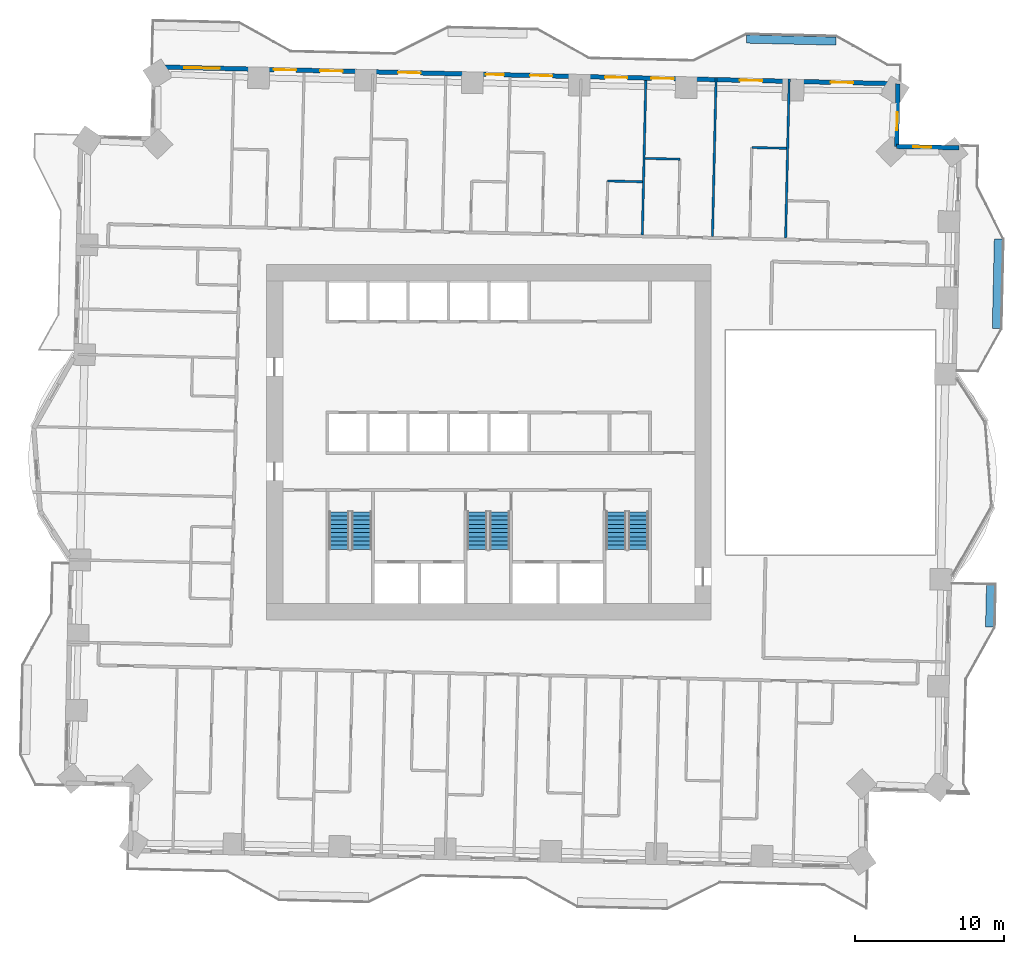
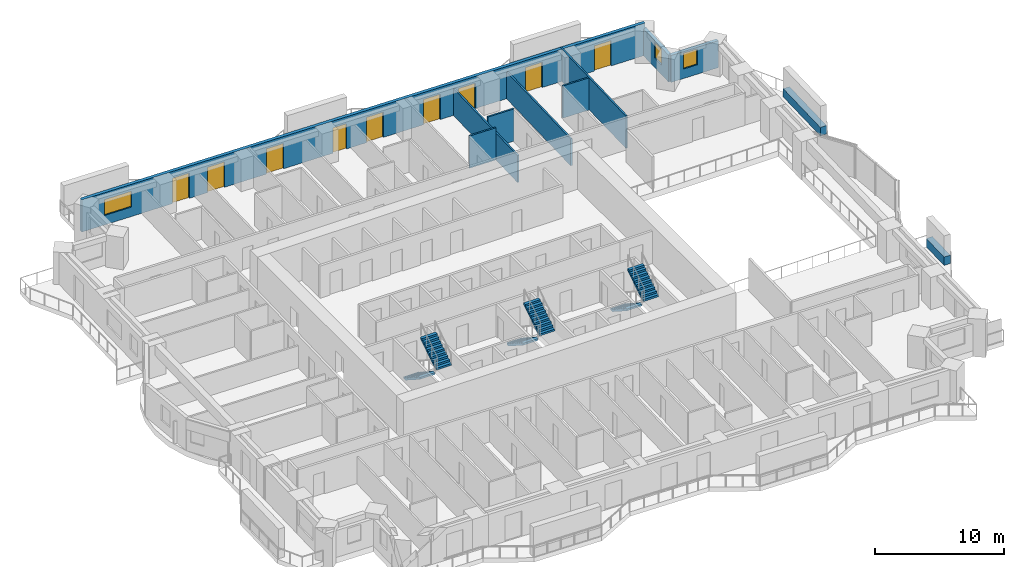
# One storey, part 13 of 18: 12 walls, 9 doors, 6 stair flights, 3 windows, 12 openings, 3 elements without a shape of their own.
"""IFC4 building model written with IfcOpenShell, lengths in metres."""

from ifc_helpers import new_model, si_unit, direction, frame, frame_2d, origin, place, context, subcontext, project, spatial, polyline, rectangle, outline, extrude, material, layer, layer_set, type_object, element, fill, aggregate, save


model = new_model("IFC4")

# Units and contexts
model_context = context("Model", 3, precision=1e-05, world=origin(), true_north=direction((0.0, 1.0)))
body_context = subcontext(model_context, "Body", "Model", "MODEL_VIEW")
ifc_project = project(units=[si_unit("LENGTHUNIT", "METRE"), si_unit("AREAUNIT", "SQUARE_METRE"), si_unit("VOLUMEUNIT", "CUBIC_METRE"), si_unit("PLANEANGLEUNIT", "RADIAN"), si_unit("MASSUNIT", "GRAM", prefix="KILO")], contexts=[model_context])

# Site, building, storey
site_placement = place(None, origin())
site = spatial("IfcSite", under=ifc_project, at=site_placement, CompositionType="ELEMENT")
building_placement = place(site_placement, origin())
building = spatial("IfcBuilding", under=site, at=building_placement, Name="Mangrove Gate Tower", CompositionType="ELEMENT")
storey_placement = place(building_placement, frame((0.0, 0.0, 67.5)))
storey = spatial("IfcBuildingStorey", under=building, at=storey_placement, Name="L16", CompositionType="ELEMENT", Elevation=67.5)

# Wall, opening, window
ifc_material_1 = material(Name="Limestone", Category="masonry")
ifc_layer_1 = layer(ifc_material_1, 0.0400390625, Name="Limestone cladding")
ifc_material_2 = material(Name="Ventilated air gap")
ifc_layer_2 = layer(ifc_material_2, 0.0400390625, Name="Ventilated cavity")
ifc_material_3 = material(Name="Mineral wool insulation")
ifc_layer_3 = layer(ifc_material_3, 0.06005859375, Name="Insulation")
ifc_material_4 = material(Name="Breather membrane")
ifc_layer_4 = layer(ifc_material_4, 0.001953125, Name="Breather membrane")
ifc_material_5 = material(Name="Concrete C20/25 blockwork", Category="masonry")
ifc_layer_5 = layer(ifc_material_5, 0.14990234375, Name="Blockwork backing wall")
ifc_material_6 = material(Name="Gypsum plaster")
ifc_layer_6 = layer(ifc_material_6, 0.008056640625, Name="Internal plaster")
ifc_layer_set_1 = layer_set([ifc_layer_1, ifc_layer_2, ifc_layer_3, ifc_layer_4, ifc_layer_5, ifc_layer_6], Name="External wall 300 limestone cladding")
wall_type_1 = type_object("IfcWallType", Name="External wall 300 limestone cladding", PredefinedType="SOLIDWALL", material=ifc_layer_set_1)
wall_1_placement = place(storey_placement, frame((31.510986328125, 19.72705078125, 0.0), z_axis=(0.0, 0.0, 1.0), x_axis=(-0.999744320311, 0.022611811187, 0.0)))
wall_1 = element("IfcWall", 1, at=wall_1_placement, inside=storey, type_object=wall_type_1, Name="WALL-L16-N3", PredefinedType="SOLIDWALL", context=body_context, shape_type="SweptSolid", body=[
    extrude(rectangle(XDim=4.199951171875, YDim=0.300048828125, at=frame_2d((2.10009765625, 0.0))), origin(), (0.0, 0.0, 1.0), 2.550048828125),
])
opening_1_placement = place(wall_1_placement, frame((1.884033203125, 0.0, 0.89990234375)))
opening_1 = element("IfcOpeningElement", 2, at=opening_1_placement, cuts=wall_1, Name="Opening W1", PredefinedType="OPENING", context=body_context, shape_type="SweptSolid", body=[
    extrude(rectangle(XDim=1.199951171875, YDim=1.5, at=frame_2d((0.60009765625, 0.75))), frame((0.0, 0.159912109375, 0.0), z_axis=(0.0, -1.0, 0.0), x_axis=(1.0, 0.0, 0.0)), (0.0, 0.0, 1.0), 0.320068359375),
])
ifc_material_7 = material(Name="Aluminium frame with double-glazed low-e glass", Category="aluminium")
window_type_1 = type_object("IfcWindowType", Name="Side lite 1200x1500", PartitioningType="SINGLE_PANEL", PredefinedType="WINDOW", material=ifc_material_7)
window_1_placement = place(opening_1_placement, origin())
window_1 = element("IfcWindow", 3, at=window_1_placement, inside=storey, type_object=window_type_1, Name="WIN-L16-N3-1", OverallHeight=1.5, OverallWidth=1.199951171875, PartitioningType="SINGLE_PANEL", PredefinedType="WINDOW", context=body_context, shape_type="SweptSolid", body=[
    extrude(rectangle(XDim=1.199951171875, YDim=1.5, at=frame_2d((0.60009765625, 0.75))), frame((0.0, 0.030029296875, 0.0), z_axis=(0.0, -1.0, 0.0), x_axis=(1.0, 0.0, 0.0)), (0.0, 0.0, 1.0), 0.06005859375),
])
fill(opening_1, window_1)

wall_2_placement = place(storey_placement, frame((27.31201171875, 19.822021484375, 0.0), z_axis=(0.0, 0.0, 1.0), x_axis=(0.022611811187, 0.999744320311, 0.0)))
wall_2 = element("IfcWall", 4, at=wall_2_placement, inside=storey, type_object=wall_type_1, Name="WALL-L16-E4", PredefinedType="SOLIDWALL", context=body_context, shape_type="SweptSolid", body=[
    extrude(rectangle(XDim=4.199951171875, YDim=0.300048828125, at=frame_2d((2.10009765625, 0.0))), origin(), (0.0, 0.0, 1.0), 2.550048828125),
])
opening_2_placement = place(wall_2_placement, frame((1.097900390625, 0.0, 0.89990234375)))
opening_2 = element("IfcOpeningElement", 5, at=opening_2_placement, cuts=wall_2, Name="Opening W1", PredefinedType="OPENING", context=body_context, shape_type="SweptSolid", body=[
    extrude(rectangle(XDim=1.199951171875, YDim=1.5, at=frame_2d((0.60009765625, 0.75))), frame((0.0, 0.159912109375, 0.0), z_axis=(0.0, -1.0, 0.0), x_axis=(1.0, 0.0, 0.0)), (0.0, 0.0, 1.0), 0.320068359375),
])
window_2_placement = place(opening_2_placement, origin())
window_2 = element("IfcWindow", 6, at=window_2_placement, inside=storey, type_object=window_type_1, Name="WIN-L16-E4-1", OverallHeight=1.5, OverallWidth=1.199951171875, PartitioningType="SINGLE_PANEL", PredefinedType="WINDOW", context=body_context, shape_type="SweptSolid", body=[
    extrude(rectangle(XDim=1.199951171875, YDim=1.5, at=frame_2d((0.60009765625, 0.75))), frame((0.0, 0.030029296875, 0.0), z_axis=(0.0, -1.0, 0.0), x_axis=(1.0, 0.0, 0.0)), (0.0, 0.0, 1.0), 0.06005859375),
])
fill(opening_2, window_2)

# Wall, openings, doors, window
wall_3_placement = place(storey_placement, frame((27.406982421875, 24.02099609375, 0.0), z_axis=(0.0, 0.0, 1.0), x_axis=(-0.99974239923, 0.022696589664, 0.0)))
wall_3 = element("IfcWall", 7, at=wall_3_placement, inside=storey, type_object=wall_type_1, Name="WALL-L16-N5", PredefinedType="SOLIDWALL", context=body_context, shape_type="SweptSolid", body=[
    extrude(rectangle(XDim=49.8359375, YDim=0.300048828125, at=frame_2d((24.91796875, 0.0))), origin(), (0.0, 0.0, 1.0), 3.050048828125),
])
opening_3_placement = place(wall_3_placement, frame((2.998046875, 0.0, 0.0)))
opening_3 = element("IfcOpeningElement", 8, at=opening_3_placement, cuts=wall_3, Name="Opening BD1", PredefinedType="OPENING", context=body_context, shape_type="SweptSolid", body=[
    extrude(rectangle(XDim=1.5, YDim=2.39990234375, at=frame_2d((0.75, 1.199951171875))), frame((0.0, 0.159912109375, 0.0), z_axis=(0.0, -1.0, 0.0), x_axis=(1.0, 0.0, 0.0)), (0.0, 0.0, 1.0), 0.320068359375),
])
opening_4_placement = place(wall_3_placement, frame((9.0859375, 0.0, 0.0)))
opening_4 = element("IfcOpeningElement", 9, at=opening_4_placement, cuts=wall_3, Name="Opening BD1", PredefinedType="OPENING", context=body_context, shape_type="SweptSolid", body=[
    extrude(rectangle(XDim=1.5, YDim=2.39990234375, at=frame_2d((0.75, 1.199951171875))), frame((0.0, 0.159912109375, 0.0), z_axis=(0.0, -1.0, 0.0), x_axis=(1.0, 0.0, 0.0)), (0.0, 0.0, 1.0), 0.320068359375),
])
opening_5_placement = place(wall_3_placement, frame((15.01708984375, 0.0, 0.0)))
opening_5 = element("IfcOpeningElement", 10, at=opening_5_placement, cuts=wall_3, Name="Opening BD1", PredefinedType="OPENING", context=body_context, shape_type="SweptSolid", body=[
    extrude(rectangle(XDim=1.5, YDim=2.39990234375, at=frame_2d((0.75, 1.199951171875))), frame((0.0, 0.159912109375, 0.0), z_axis=(0.0, -1.0, 0.0), x_axis=(1.0, 0.0, 0.0)), (0.0, 0.0, 1.0), 0.320068359375),
])
opening_6_placement = place(wall_3_placement, frame((18.1240234375, 0.0, 0.0)))
opening_6 = element("IfcOpeningElement", 11, at=opening_6_placement, cuts=wall_3, Name="Opening BD1", PredefinedType="OPENING", context=body_context, shape_type="SweptSolid", body=[
    extrude(rectangle(XDim=1.5, YDim=2.39990234375, at=frame_2d((0.75, 1.199951171875))), frame((0.0, 0.159912109375, 0.0), z_axis=(0.0, -1.0, 0.0), x_axis=(1.0, 0.0, 0.0)), (0.0, 0.0, 1.0), 0.320068359375),
])
opening_7_placement = place(wall_3_placement, frame((23.14892578125, 0.0, 0.0)))
opening_7 = element("IfcOpeningElement", 12, at=opening_7_placement, cuts=wall_3, Name="Opening BD1", PredefinedType="OPENING", context=body_context, shape_type="SweptSolid", body=[
    extrude(rectangle(XDim=1.5, YDim=2.39990234375, at=frame_2d((0.75, 1.199951171875))), frame((0.0, 0.159912109375, 0.0), z_axis=(0.0, -1.0, 0.0), x_axis=(1.0, 0.0, 0.0)), (0.0, 0.0, 1.0), 0.320068359375),
])
opening_8_placement = place(wall_3_placement, frame((26.405029296875, 0.0, 0.0)))
opening_8 = element("IfcOpeningElement", 13, at=opening_8_placement, cuts=wall_3, Name="Opening BD2", PredefinedType="OPENING", context=body_context, shape_type="SweptSolid", body=[
    extrude(rectangle(XDim=1.199951171875, YDim=2.39990234375, at=frame_2d((0.60009765625, 1.199951171875))), frame((0.0, 0.159912109375, 0.0), z_axis=(0.0, -1.0, 0.0), x_axis=(1.0, 0.0, 0.0)), (0.0, 0.0, 1.0), 0.320068359375),
])
opening_9_placement = place(wall_3_placement, frame((31.986083984375, 0.0, 0.0)))
opening_9 = element("IfcOpeningElement", 14, at=opening_9_placement, cuts=wall_3, Name="Opening BD1", PredefinedType="OPENING", context=body_context, shape_type="SweptSolid", body=[
    extrude(rectangle(XDim=1.5, YDim=2.39990234375, at=frame_2d((0.75, 1.199951171875))), frame((0.0, 0.159912109375, 0.0), z_axis=(0.0, -1.0, 0.0), x_axis=(1.0, 0.0, 0.0)), (0.0, 0.0, 1.0), 0.320068359375),
])
opening_10_placement = place(wall_3_placement, frame((37.2109375, 0.0, 0.0)))
opening_10 = element("IfcOpeningElement", 15, at=opening_10_placement, cuts=wall_3, Name="Opening BD1", PredefinedType="OPENING", context=body_context, shape_type="SweptSolid", body=[
    extrude(rectangle(XDim=1.5, YDim=2.39990234375, at=frame_2d((0.75, 1.199951171875))), frame((0.0, 0.159912109375, 0.0), z_axis=(0.0, -1.0, 0.0), x_axis=(1.0, 0.0, 0.0)), (0.0, 0.0, 1.0), 0.320068359375),
])
opening_11_placement = place(wall_3_placement, frame((40.31689453125, 0.0, 0.0)))
opening_11 = element("IfcOpeningElement", 16, at=opening_11_placement, cuts=wall_3, Name="Opening BD1", PredefinedType="OPENING", context=body_context, shape_type="SweptSolid", body=[
    extrude(rectangle(XDim=1.5, YDim=2.39990234375, at=frame_2d((0.75, 1.199951171875))), frame((0.0, 0.159912109375, 0.0), z_axis=(0.0, -1.0, 0.0), x_axis=(1.0, 0.0, 0.0)), (0.0, 0.0, 1.0), 0.320068359375),
])
opening_12_placement = place(wall_3_placement, frame((45.430908203125, 0.0, 0.89990234375)))
opening_12 = element("IfcOpeningElement", 17, at=opening_12_placement, cuts=wall_3, Name="Opening W2", PredefinedType="OPENING", context=body_context, shape_type="SweptSolid", body=[
    extrude(rectangle(XDim=2.39990234375, YDim=1.5, at=frame_2d((1.199951171875, 0.75))), frame((0.0, 0.159912109375, 0.0), z_axis=(0.0, -1.0, 0.0), x_axis=(1.0, 0.0, 0.0)), (0.0, 0.0, 1.0), 0.320068359375),
])
ifc_material_8 = material(Name="Aluminium frame with laminated clear glass", Category="aluminium")
door_type_1 = type_object("IfcDoorType", Name="Balcony sliding door 1200x2400", OperationType="SLIDING_TO_LEFT", PredefinedType="DOOR", material=ifc_material_8)
door_1_placement = place(opening_8_placement, origin())
door_1 = element("IfcDoor", 18, at=door_1_placement, inside=storey, type_object=door_type_1, Name="DOOR-L16-N5-6", OperationType="SLIDING_TO_LEFT", OverallHeight=2.39990234375, OverallWidth=1.199951171875, PredefinedType="DOOR", context=body_context, shape_type="SweptSolid", body=[
    extrude(rectangle(XDim=1.199951171875, YDim=2.39990234375, at=frame_2d((0.60009765625, 1.199951171875))), frame((0.0, 0.02490234375, 0.0), z_axis=(0.0, -1.0, 0.0), x_axis=(1.0, 0.0, 0.0)), (0.0, 0.0, 1.0), 0.050048828125),
])
fill(opening_8, door_1)
ifc_material_9 = material(Name="Aluminium frame with laminated clear glass", Category="aluminium")
door_type_2 = type_object("IfcDoorType", Name="Balcony sliding door 1500x2400", OperationType="SLIDING_TO_LEFT", PredefinedType="DOOR", material=ifc_material_9)
door_2_placement = place(opening_3_placement, origin())
door_2 = element("IfcDoor", 19, at=door_2_placement, inside=storey, type_object=door_type_2, Name="DOOR-L16-N5-1", OperationType="SLIDING_TO_LEFT", OverallHeight=2.39990234375, OverallWidth=1.5, PredefinedType="DOOR", context=body_context, shape_type="SweptSolid", body=[
    extrude(rectangle(XDim=1.5, YDim=2.39990234375, at=frame_2d((0.75, 1.199951171875))), frame((0.0, 0.02490234375, 0.0), z_axis=(0.0, -1.0, 0.0), x_axis=(1.0, 0.0, 0.0)), (0.0, 0.0, 1.0), 0.050048828125),
])
fill(opening_3, door_2)
door_3_placement = place(opening_4_placement, origin())
door_3 = element("IfcDoor", 20, at=door_3_placement, inside=storey, type_object=door_type_2, Name="DOOR-L16-N5-2", OperationType="SLIDING_TO_LEFT", OverallHeight=2.39990234375, OverallWidth=1.5, PredefinedType="DOOR", context=body_context, shape_type="SweptSolid", body=[
    extrude(rectangle(XDim=1.5, YDim=2.39990234375, at=frame_2d((0.75, 1.199951171875))), frame((0.0, 0.02490234375, 0.0), z_axis=(0.0, -1.0, 0.0), x_axis=(1.0, 0.0, 0.0)), (0.0, 0.0, 1.0), 0.050048828125),
])
fill(opening_4, door_3)
door_4_placement = place(opening_5_placement, origin())
door_4 = element("IfcDoor", 21, at=door_4_placement, inside=storey, type_object=door_type_2, Name="DOOR-L16-N5-3", OperationType="SLIDING_TO_LEFT", OverallHeight=2.39990234375, OverallWidth=1.5, PredefinedType="DOOR", context=body_context, shape_type="SweptSolid", body=[
    extrude(rectangle(XDim=1.5, YDim=2.39990234375, at=frame_2d((0.75, 1.199951171875))), frame((0.0, 0.02490234375, 0.0), z_axis=(0.0, -1.0, 0.0), x_axis=(1.0, 0.0, 0.0)), (0.0, 0.0, 1.0), 0.050048828125),
])
fill(opening_5, door_4)
door_5_placement = place(opening_6_placement, origin())
door_5 = element("IfcDoor", 22, at=door_5_placement, inside=storey, type_object=door_type_2, Name="DOOR-L16-N5-4", OperationType="SLIDING_TO_LEFT", OverallHeight=2.39990234375, OverallWidth=1.5, PredefinedType="DOOR", context=body_context, shape_type="SweptSolid", body=[
    extrude(rectangle(XDim=1.5, YDim=2.39990234375, at=frame_2d((0.75, 1.199951171875))), frame((0.0, 0.02490234375, 0.0), z_axis=(0.0, -1.0, 0.0), x_axis=(1.0, 0.0, 0.0)), (0.0, 0.0, 1.0), 0.050048828125),
])
fill(opening_6, door_5)
door_6_placement = place(opening_7_placement, origin())
door_6 = element("IfcDoor", 23, at=door_6_placement, inside=storey, type_object=door_type_2, Name="DOOR-L16-N5-5", OperationType="SLIDING_TO_LEFT", OverallHeight=2.39990234375, OverallWidth=1.5, PredefinedType="DOOR", context=body_context, shape_type="SweptSolid", body=[
    extrude(rectangle(XDim=1.5, YDim=2.39990234375, at=frame_2d((0.75, 1.199951171875))), frame((0.0, 0.02490234375, 0.0), z_axis=(0.0, -1.0, 0.0), x_axis=(1.0, 0.0, 0.0)), (0.0, 0.0, 1.0), 0.050048828125),
])
fill(opening_7, door_6)
door_7_placement = place(opening_9_placement, origin())
door_7 = element("IfcDoor", 24, at=door_7_placement, inside=storey, type_object=door_type_2, Name="DOOR-L16-N5-7", OperationType="SLIDING_TO_LEFT", OverallHeight=2.39990234375, OverallWidth=1.5, PredefinedType="DOOR", context=body_context, shape_type="SweptSolid", body=[
    extrude(rectangle(XDim=1.5, YDim=2.39990234375, at=frame_2d((0.75, 1.199951171875))), frame((0.0, 0.02490234375, 0.0), z_axis=(0.0, -1.0, 0.0), x_axis=(1.0, 0.0, 0.0)), (0.0, 0.0, 1.0), 0.050048828125),
])
fill(opening_9, door_7)
door_8_placement = place(opening_10_placement, origin())
door_8 = element("IfcDoor", 25, at=door_8_placement, inside=storey, type_object=door_type_2, Name="DOOR-L16-N5-8", OperationType="SLIDING_TO_LEFT", OverallHeight=2.39990234375, OverallWidth=1.5, PredefinedType="DOOR", context=body_context, shape_type="SweptSolid", body=[
    extrude(rectangle(XDim=1.5, YDim=2.39990234375, at=frame_2d((0.75, 1.199951171875))), frame((0.0, 0.02490234375, 0.0), z_axis=(0.0, -1.0, 0.0), x_axis=(1.0, 0.0, 0.0)), (0.0, 0.0, 1.0), 0.050048828125),
])
fill(opening_10, door_8)
door_9_placement = place(opening_11_placement, origin())
door_9 = element("IfcDoor", 26, at=door_9_placement, inside=storey, type_object=door_type_2, Name="DOOR-L16-N5-9", OperationType="SLIDING_TO_LEFT", OverallHeight=2.39990234375, OverallWidth=1.5, PredefinedType="DOOR", context=body_context, shape_type="SweptSolid", body=[
    extrude(rectangle(XDim=1.5, YDim=2.39990234375, at=frame_2d((0.75, 1.199951171875))), frame((0.0, 0.02490234375, 0.0), z_axis=(0.0, -1.0, 0.0), x_axis=(1.0, 0.0, 0.0)), (0.0, 0.0, 1.0), 0.050048828125),
])
fill(opening_11, door_9)
ifc_material_10 = material(Name="Aluminium frame with double-glazed low-e glass", Category="aluminium")
window_type_2 = type_object("IfcWindowType", Name="Corner room window 2400x1500", PartitioningType="DOUBLE_PANEL_VERTICAL", PredefinedType="WINDOW", material=ifc_material_10)
window_3_placement = place(opening_12_placement, origin())
window_3 = element("IfcWindow", 27, at=window_3_placement, inside=storey, type_object=window_type_2, Name="WIN-L16-N5-10", OverallHeight=1.5, OverallWidth=2.39990234375, PartitioningType="DOUBLE_PANEL_VERTICAL", PredefinedType="WINDOW", context=body_context, shape_type="SweptSolid", body=[
    extrude(rectangle(XDim=2.39990234375, YDim=1.5, at=frame_2d((1.199951171875, 0.75))), frame((0.0, 0.030029296875, 0.0), z_axis=(0.0, -1.0, 0.0), x_axis=(1.0, 0.0, 0.0)), (0.0, 0.0, 1.0), 0.06005859375),
])
fill(opening_12, window_3)

# Walls
ifc_material_11 = material(Name="Gypsum board on steel stud, EI 60", Category="steel")
ifc_layer_7 = layer(ifc_material_11, 0.14990234375)
ifc_layer_set_2 = layer_set([ifc_layer_7], Name="Party wall 150 EI 60")
wall_type_2 = type_object("IfcWallType", Name="Party wall 150 EI 60", PredefinedType="PARTITIONING", material=ifc_layer_set_2)
wall_4_placement = place(storey_placement, frame((10.284912109375, 13.906982421875, 0.0), z_axis=(0.0, 0.0, 1.0), x_axis=(0.022716582742, 0.999741945138, 0.0)))
element("IfcWall", 28, at=wall_4_placement, inside=storey, type_object=wall_type_2, Name="WALL-L16-072", PredefinedType="PARTITIONING", context=body_context, shape_type="SweptSolid", body=[
    extrude(rectangle(XDim=10.349609375, YDim=0.14990234375, at=frame_2d((5.1748046875, 0.0))), origin(), (0.0, 0.0, 1.0), 2.550048828125),
])
wall_5_placement = place(storey_placement, frame((14.98388671875, 13.800048828125, 0.0), z_axis=(0.0, 0.0, 1.0), x_axis=(0.022739109038, 0.999741433032, 0.0)))
element("IfcWall", 29, at=wall_5_placement, inside=storey, type_object=wall_type_2, Name="WALL-L16-074", PredefinedType="PARTITIONING", context=body_context, shape_type="SweptSolid", body=[
    extrude(rectangle(XDim=10.650634765625, YDim=0.14990234375, at=frame_2d((5.3251953125, 0.0))), origin(), (0.0, 0.0, 1.0), 2.550048828125),
])
wall_6_placement = place(storey_placement, frame((19.883056640625, 13.68896484375, 0.0), z_axis=(0.0, 0.0, 1.0), x_axis=(0.022626629517, 0.999743985047, 0.0)))
element("IfcWall", 30, at=wall_6_placement, inside=storey, type_object=wall_type_2, Name="WALL-L16-076", PredefinedType="PARTITIONING", context=body_context, shape_type="SweptSolid", body=[
    extrude(rectangle(XDim=10.649658203125, YDim=0.14990234375, at=frame_2d((5.32470703125, 0.0))), origin(), (0.0, 0.0, 1.0), 3.050048828125),
])
for number, where, z_axis, x_axis, name in (
    (31, (7.968017578125, 17.510009765625, 0.0), (0.0, 0.0, 1.0), (0.999749954681, -0.022361308448, 0.0), "WALL-L16-080"),
    (32, (10.47802734375, 19.02392578125, 0.0), (0.0, 0.0, 1.0), (0.999740478815, -0.022781023197, 0.0), "WALL-L16-083"),
):
    element("IfcWall", number, at=place(storey_placement, frame(where, z_axis=z_axis, x_axis=x_axis)), inside=storey, type_object=wall_type_2, Name=name, PredefinedType="PARTITIONING", context=body_context, shape_type="SweptSolid", body=[
        extrude(rectangle(XDim=2.325439453125, YDim=0.14990234375, at=frame_2d((1.16259765625, 0.0))), origin(), (0.0, 0.0, 1.0), 3.050048828125),
    ])
wall_7_placement = place(storey_placement, frame((17.6220703125, 19.751953125, 0.0), z_axis=(0.0, 0.0, 1.0), x_axis=(0.999740260747, -0.02279059109, 0.0)))
element("IfcWall", 33, at=wall_7_placement, inside=storey, type_object=wall_type_2, Name="WALL-L16-086", PredefinedType="PARTITIONING", context=body_context, shape_type="SweptSolid", body=[
    extrude(rectangle(XDim=2.324462890625, YDim=0.14990234375, at=frame_2d((1.162109375, 0.0))), origin(), (0.0, 0.0, 1.0), 3.050048828125),
])
ifc_material_12 = material(Name="Concrete C32/40", Category="concrete")
ifc_layer_8 = layer(ifc_material_12, 0.199951171875, Name="Planter trough wall")
ifc_material_13 = material(Name="Bituminous waterproofing membrane")
ifc_layer_9 = layer(ifc_material_13, 0.0048828125, Name="Waterproofing")
ifc_material_14 = material(Name="Drainage board and gravel")
ifc_layer_10 = layer(ifc_material_14, 0.044921875, Name="Drainage layer")
ifc_material_15 = material(Name="Planting soil")
ifc_layer_11 = layer(ifc_material_15, 0.300048828125, Name="Growing medium")
ifc_layer_set_3 = layer_set([ifc_layer_8, ifc_layer_9, ifc_layer_10, ifc_layer_11], Name="Planter wall 550 C32/40")
wall_type_3 = type_object("IfcWallType", Name="Planter wall 550 C32/40", PredefinedType="USERDEFINED", material=ifc_layer_set_3)
wall_8_placement = place(storey_placement, frame((33.548095703125, -12.3779296875, 0.0), z_axis=(0.0, 0.0, 1.0), x_axis=(0.022590224177, 0.999744808324, 0.0)))
element("IfcWall", 34, at=wall_8_placement, inside=storey, type_object=wall_type_3, Name="PLANTER L16 E0.1", ObjectType="PLANTER", PredefinedType="USERDEFINED", context=body_context, shape_type="SweptSolid", body=[
    extrude(rectangle(XDim=2.874755859375, YDim=0.550048828125, at=frame_2d((1.4375, 0.0))), origin(), (0.0, 0.0, 1.0), 0.800048828125),
])
for number, where, z_axis, x_axis, name in (
    (35, (34.001953125, 7.616943359375, 0.0), (0.0, 0.0, 1.0), (0.022665943652, 0.999743094499, 0.0), "PLANTER L16 E1.1"),
    (36, (17.2548828125, 27.01708984375, 0.0), (0.0, 0.0, 1.0), (0.999743094499, -0.022665943652, 0.0), "PLANTER L16 N0.1"),
):
    element("IfcWall", number, at=place(storey_placement, frame(where, z_axis=z_axis, x_axis=x_axis)), inside=storey, type_object=wall_type_3, Name=name, ObjectType="PLANTER", PredefinedType="USERDEFINED", context=body_context, shape_type="SweptSolid", body=[
        extrude(rectangle(XDim=5.99951171875, YDim=0.550048828125, at=frame_2d((2.999755859375, 0.0))), origin(), (0.0, 0.0, 1.0), 0.800048828125),
    ])

# Stair, stair flights
ifc_material_16 = material(Name="Concrete C40/50", Category="concrete")
stair_type = type_object("IfcStairType", Name="Core stair 1350", PredefinedType="HALF_TURN_STAIR", material=ifc_material_16)
stair_1_placement = place(storey_placement, origin())
stair_1 = element("IfcStair", 37, at=stair_1_placement, inside=storey, type_object=stair_type, Name="L16 Stair 1", PredefinedType="HALF_TURN_STAIR")
ifc_material_17 = material(Name="Concrete C40/50", Category="concrete")
stair_flight_type = type_object("IfcStairFlightType", Name="Core stair flight 1350", PredefinedType="STRAIGHT", material=ifc_material_17)
stair_flight_1_placement = place(storey_placement, frame((-10.02490234375, -4.64990234375, 0.0), z_axis=(0.0, 0.0, 1.0), x_axis=(0.0, -1.0, 0.0)))
stair_flight_1 = element("IfcStairFlight", 38, at=stair_flight_1_placement, type_object=stair_flight_type, Name="ST1 flight 1", NumberOfRisers=10, NumberOfTreads=9, PredefinedType="STRAIGHT", RiserHeight=0.18, TreadLength=0.28, context=body_context, shape_type="SweptSolid", body=[
    extrude(outline(polyline([(0.0, 0.0), (0.0, 0.179931640625), (0.280029296875, 0.179931640625), (0.280029296875, 0.360107421875), (0.56005859375, 0.360107421875), (0.56005859375, 0.5400390625), (0.840087890625, 0.5400390625), (0.840087890625, 0.719970703125), (1.1201171875, 0.719970703125), (1.1201171875, 0.89990234375), (1.39990234375, 0.89990234375), (1.39990234375, 1.080078125), (1.679931640625, 1.080078125), (1.679931640625, 1.260009765625), (1.9599609375, 1.260009765625), (1.9599609375, 1.43994140625), (2.239990234375, 1.43994140625), (2.239990234375, 1.6201171875), (2.52001953125, 1.6201171875), (2.52001953125, 1.800048828125), (2.52001953125, 1.44189453125), (0.277099609375, 0.0), (0.0, 0.0)])), frame((0.0, 0.675048828125, 0.0), z_axis=(0.0, -1.0, 0.0), x_axis=(1.0, 0.0, 0.0)), (0.0, 0.0, 1.0), 1.35009765625),
])
stair_flight_2_placement = place(storey_placement, frame((-8.52490234375, -7.169921875, 1.800048828125), z_axis=(0.0, 0.0, 1.0), x_axis=(0.0, 1.0, 0.0)))
stair_flight_2 = element("IfcStairFlight", 39, at=stair_flight_2_placement, type_object=stair_flight_type, Name="ST1 flight 2", NumberOfRisers=10, NumberOfTreads=9, PredefinedType="STRAIGHT", RiserHeight=0.18, TreadLength=0.28, context=body_context, shape_type="SweptSolid", body=[
    extrude(outline(polyline([(0.0, 0.0), (0.0, 0.179931640625), (0.280029296875, 0.179931640625), (0.280029296875, 0.360107421875), (0.56005859375, 0.360107421875), (0.56005859375, 0.5400390625), (0.840087890625, 0.5400390625), (0.840087890625, 0.719970703125), (1.1201171875, 0.719970703125), (1.1201171875, 0.89990234375), (1.39990234375, 0.89990234375), (1.39990234375, 1.080078125), (1.679931640625, 1.080078125), (1.679931640625, 1.260009765625), (1.9599609375, 1.260009765625), (1.9599609375, 1.43994140625), (2.239990234375, 1.43994140625), (2.239990234375, 1.6201171875), (2.52001953125, 1.6201171875), (2.52001953125, 1.800048828125), (2.52001953125, 1.44189453125), (0.277099609375, 0.0), (0.0, 0.0)])), frame((0.0, 0.675048828125, 0.0), z_axis=(0.0, -1.0, 0.0), x_axis=(1.0, 0.0, 0.0)), (0.0, 0.0, 1.0), 1.35009765625),
])
aggregate(stair_1, [stair_flight_1, stair_flight_2])

stair_2_placement = place(storey_placement, origin())
stair_2 = element("IfcStair", 40, at=stair_2_placement, inside=storey, type_object=stair_type, Name="L16 Stair 2", PredefinedType="HALF_TURN_STAIR")
stair_flight_3_placement = place(storey_placement, frame((-0.77490234375, -4.64990234375, 0.0), z_axis=(0.0, 0.0, 1.0), x_axis=(0.0, -1.0, 0.0)))
stair_flight_3 = element("IfcStairFlight", 41, at=stair_flight_3_placement, type_object=stair_flight_type, Name="ST2 flight 1", NumberOfRisers=10, NumberOfTreads=9, PredefinedType="STRAIGHT", RiserHeight=0.18, TreadLength=0.28, context=body_context, shape_type="SweptSolid", body=[
    extrude(outline(polyline([(0.0, 0.0), (0.0, 0.179931640625), (0.280029296875, 0.179931640625), (0.280029296875, 0.360107421875), (0.56005859375, 0.360107421875), (0.56005859375, 0.5400390625), (0.840087890625, 0.5400390625), (0.840087890625, 0.719970703125), (1.1201171875, 0.719970703125), (1.1201171875, 0.89990234375), (1.39990234375, 0.89990234375), (1.39990234375, 1.080078125), (1.679931640625, 1.080078125), (1.679931640625, 1.260009765625), (1.9599609375, 1.260009765625), (1.9599609375, 1.43994140625), (2.239990234375, 1.43994140625), (2.239990234375, 1.6201171875), (2.52001953125, 1.6201171875), (2.52001953125, 1.800048828125), (2.52001953125, 1.44189453125), (0.277099609375, 0.0), (0.0, 0.0)])), frame((0.0, 0.675048828125, 0.0), z_axis=(0.0, -1.0, 0.0), x_axis=(1.0, 0.0, 0.0)), (0.0, 0.0, 1.0), 1.35009765625),
])
stair_flight_4_placement = place(storey_placement, frame((0.72509765625, -7.169921875, 1.800048828125), z_axis=(0.0, 0.0, 1.0), x_axis=(0.0, 1.0, 0.0)))
stair_flight_4 = element("IfcStairFlight", 42, at=stair_flight_4_placement, type_object=stair_flight_type, Name="ST2 flight 2", NumberOfRisers=10, NumberOfTreads=9, PredefinedType="STRAIGHT", RiserHeight=0.18, TreadLength=0.28, context=body_context, shape_type="SweptSolid", body=[
    extrude(outline(polyline([(0.0, 0.0), (0.0, 0.179931640625), (0.280029296875, 0.179931640625), (0.280029296875, 0.360107421875), (0.56005859375, 0.360107421875), (0.56005859375, 0.5400390625), (0.840087890625, 0.5400390625), (0.840087890625, 0.719970703125), (1.1201171875, 0.719970703125), (1.1201171875, 0.89990234375), (1.39990234375, 0.89990234375), (1.39990234375, 1.080078125), (1.679931640625, 1.080078125), (1.679931640625, 1.260009765625), (1.9599609375, 1.260009765625), (1.9599609375, 1.43994140625), (2.239990234375, 1.43994140625), (2.239990234375, 1.6201171875), (2.52001953125, 1.6201171875), (2.52001953125, 1.800048828125), (2.52001953125, 1.44189453125), (0.277099609375, 0.0), (0.0, 0.0)])), frame((0.0, 0.675048828125, 0.0), z_axis=(0.0, -1.0, 0.0), x_axis=(1.0, 0.0, 0.0)), (0.0, 0.0, 1.0), 1.35009765625),
])
aggregate(stair_2, [stair_flight_3, stair_flight_4])

stair_3_placement = place(storey_placement, origin())
stair_3 = element("IfcStair", 43, at=stair_3_placement, inside=storey, type_object=stair_type, Name="L16 Stair 3", PredefinedType="HALF_TURN_STAIR")
stair_flight_5_placement = place(storey_placement, frame((8.52490234375, -4.64990234375, 0.0), z_axis=(0.0, 0.0, 1.0), x_axis=(0.0, -1.0, 0.0)))
stair_flight_5 = element("IfcStairFlight", 44, at=stair_flight_5_placement, type_object=stair_flight_type, Name="ST3 flight 1", NumberOfRisers=10, NumberOfTreads=9, PredefinedType="STRAIGHT", RiserHeight=0.18, TreadLength=0.28, context=body_context, shape_type="SweptSolid", body=[
    extrude(outline(polyline([(0.0, 0.0), (0.0, 0.179931640625), (0.280029296875, 0.179931640625), (0.280029296875, 0.360107421875), (0.56005859375, 0.360107421875), (0.56005859375, 0.5400390625), (0.840087890625, 0.5400390625), (0.840087890625, 0.719970703125), (1.1201171875, 0.719970703125), (1.1201171875, 0.89990234375), (1.39990234375, 0.89990234375), (1.39990234375, 1.080078125), (1.679931640625, 1.080078125), (1.679931640625, 1.260009765625), (1.9599609375, 1.260009765625), (1.9599609375, 1.43994140625), (2.239990234375, 1.43994140625), (2.239990234375, 1.6201171875), (2.52001953125, 1.6201171875), (2.52001953125, 1.800048828125), (2.52001953125, 1.44189453125), (0.277099609375, 0.0), (0.0, 0.0)])), frame((0.0, 0.675048828125, 0.0), z_axis=(0.0, -1.0, 0.0), x_axis=(1.0, 0.0, 0.0)), (0.0, 0.0, 1.0), 1.35009765625),
])
stair_flight_6_placement = place(storey_placement, frame((10.02490234375, -7.169921875, 1.800048828125), z_axis=(0.0, 0.0, 1.0), x_axis=(0.0, 1.0, 0.0)))
stair_flight_6 = element("IfcStairFlight", 45, at=stair_flight_6_placement, type_object=stair_flight_type, Name="ST3 flight 2", NumberOfRisers=10, NumberOfTreads=9, PredefinedType="STRAIGHT", RiserHeight=0.18, TreadLength=0.28, context=body_context, shape_type="SweptSolid", body=[
    extrude(outline(polyline([(0.0, 0.0), (0.0, 0.179931640625), (0.280029296875, 0.179931640625), (0.280029296875, 0.360107421875), (0.56005859375, 0.360107421875), (0.56005859375, 0.5400390625), (0.840087890625, 0.5400390625), (0.840087890625, 0.719970703125), (1.1201171875, 0.719970703125), (1.1201171875, 0.89990234375), (1.39990234375, 0.89990234375), (1.39990234375, 1.080078125), (1.679931640625, 1.080078125), (1.679931640625, 1.260009765625), (1.9599609375, 1.260009765625), (1.9599609375, 1.43994140625), (2.239990234375, 1.43994140625), (2.239990234375, 1.6201171875), (2.52001953125, 1.6201171875), (2.52001953125, 1.800048828125), (2.52001953125, 1.44189453125), (0.277099609375, 0.0), (0.0, 0.0)])), frame((0.0, 0.675048828125, 0.0), z_axis=(0.0, -1.0, 0.0), x_axis=(1.0, 0.0, 0.0)), (0.0, 0.0, 1.0), 1.35009765625),
])
aggregate(stair_3, [stair_flight_5, stair_flight_6])

save(model, "model.ifc")
